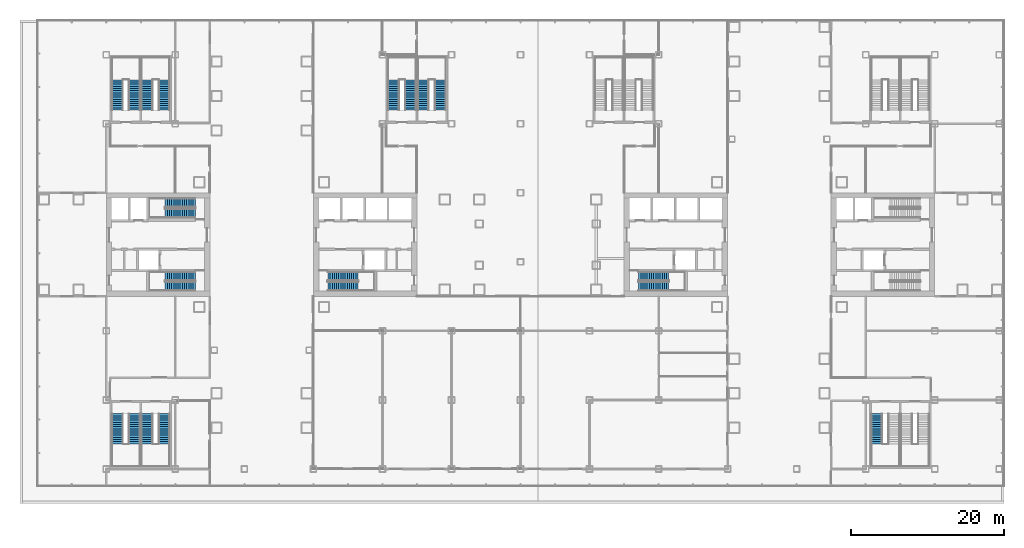
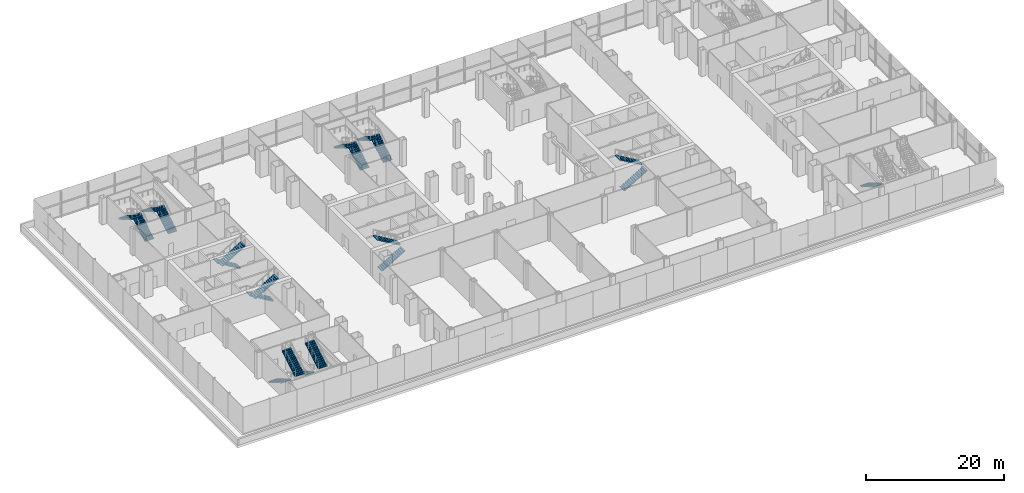
# One storey, part 24 of 30: 21 stair flights, 11 elements without a shape of their own.
"""IFC4 building model written with IfcOpenShell, lengths in metres."""

from ifc_helpers import new_model, si_unit, direction, frame, origin, place, context, subcontext, project, spatial, polyline, outline, extrude, material, type_object, element, aggregate, save


model = new_model("IFC4")

# Units and contexts
model_context = context("Model", 3, precision=1e-05, world=origin(), true_north=direction((0.0, 1.0)))
body_context = subcontext(model_context, "Body", "Model", "MODEL_VIEW")
ifc_project = project(units=[si_unit("LENGTHUNIT", "METRE"), si_unit("AREAUNIT", "SQUARE_METRE"), si_unit("VOLUMEUNIT", "CUBIC_METRE"), si_unit("PLANEANGLEUNIT", "RADIAN"), si_unit("MASSUNIT", "GRAM", prefix="KILO")], contexts=[model_context])

# Site, building, storey
site_placement = place(None, origin())
site = spatial("IfcSite", under=ifc_project, at=site_placement, CompositionType="ELEMENT")
building_placement = place(site_placement, origin())
building = spatial("IfcBuilding", under=site, at=building_placement, Name="Shamsa Quay Exchange Towers", CompositionType="ELEMENT")
storey_placement = place(building_placement, frame((0.0, 0.0, 23.5)))
storey = spatial("IfcBuildingStorey", under=building, at=storey_placement, Name="L04", CompositionType="ELEMENT", Elevation=23.5)

# Stair, stair flights
ifc_material = material(Name="Concrete C40/50", Category="concrete")
stair_type_1 = type_object("IfcStairType", Name="EXIT STAIR 30 RISERS 167 MM", PredefinedType="HALF_TURN_STAIR", material=ifc_material)
stair_1_placement = place(storey_placement, origin())
stair_1 = element("IfcStair", 1, at=stair_1_placement, inside=storey, type_object=stair_type_1, Name="L04 Exit stair ST1", PredefinedType="HALF_TURN_STAIR")
stair_flight_type_1 = type_object("IfcStairFlightType", Name="EXIT STAIR FLIGHT 15 RISERS 167 MM", PredefinedType="STRAIGHT", material=ifc_material)
stair_flight_1_placement = place(storey_placement, frame((-25.10009765625, -5.449951171875, 0.0)))
stair_flight_1 = element("IfcStairFlight", 2, at=stair_flight_1_placement, type_object=stair_flight_type_1, Name="ST1 flight 1", NumberOfRisers=15, NumberOfTreads=14, PredefinedType="STRAIGHT", RiserHeight=0.166666667, TreadLength=0.28, context=body_context, shape_type="SweptSolid", body=[
    extrude(outline(polyline([(0.0, 0.0), (0.0, 0.166748046875), (0.280029296875, 0.166748046875), (0.280029296875, 0.333251953125), (0.56005859375, 0.333251953125), (0.56005859375, 0.5), (0.840087890625, 0.5), (0.840087890625, 0.666748046875), (1.1201171875, 0.666748046875), (1.1201171875, 0.833251953125), (1.39990234375, 0.833251953125), (1.39990234375, 1.0), (1.679931640625, 1.0), (1.679931640625, 1.166748046875), (1.9599609375, 1.166748046875), (1.9599609375, 1.333251953125), (2.239990234375, 1.333251953125), (2.239990234375, 1.5), (2.52001953125, 1.5), (2.52001953125, 1.666748046875), (2.800048828125, 1.666748046875), (2.800048828125, 1.833251953125), (3.080078125, 1.833251953125), (3.080078125, 2.0), (3.360107421875, 2.0), (3.360107421875, 2.166748046875), (3.639892578125, 2.166748046875), (3.639892578125, 2.333251953125), (3.919921875, 2.333251953125), (3.919921875, 2.5), (3.919921875, 2.170654296875), (0.2734375, 0.0), (0.0, 0.0)])), frame((0.0, 0.60009765625, 0.0), z_axis=(0.0, -1.0, 0.0), x_axis=(1.0, 0.0, 0.0)), (0.0, 0.0, 1.0), 1.199951171875),
])
stair_flight_2_placement = place(storey_placement, frame((-21.179931640625, -4.10009765625, 2.5), z_axis=(0.0, 0.0, 1.0), x_axis=(-1.0, 0.0, 0.0)))
stair_flight_2 = element("IfcStairFlight", 3, at=stair_flight_2_placement, type_object=stair_flight_type_1, Name="ST1 flight 2", NumberOfRisers=15, NumberOfTreads=14, PredefinedType="STRAIGHT", RiserHeight=0.166666667, TreadLength=0.28, context=body_context, shape_type="SweptSolid", body=[
    extrude(outline(polyline([(0.0, 0.0), (0.0, 0.166748046875), (0.280029296875, 0.166748046875), (0.280029296875, 0.333251953125), (0.56005859375, 0.333251953125), (0.56005859375, 0.5), (0.840087890625, 0.5), (0.840087890625, 0.666748046875), (1.1201171875, 0.666748046875), (1.1201171875, 0.833251953125), (1.39990234375, 0.833251953125), (1.39990234375, 1.0), (1.679931640625, 1.0), (1.679931640625, 1.166748046875), (1.9599609375, 1.166748046875), (1.9599609375, 1.333251953125), (2.239990234375, 1.333251953125), (2.239990234375, 1.5), (2.52001953125, 1.5), (2.52001953125, 1.666748046875), (2.800048828125, 1.666748046875), (2.800048828125, 1.833251953125), (3.080078125, 1.833251953125), (3.080078125, 2.0), (3.360107421875, 2.0), (3.360107421875, 2.166748046875), (3.639892578125, 2.166748046875), (3.639892578125, 2.333251953125), (3.919921875, 2.333251953125), (3.919921875, 2.5), (3.919921875, 2.170654296875), (0.2734375, 0.0), (0.0, 0.0)])), frame((0.0, 0.60009765625, 0.0), z_axis=(0.0, -1.0, 0.0), x_axis=(1.0, 0.0, 0.0)), (0.0, 0.0, 1.0), 1.199951171875),
])
aggregate(stair_1, [stair_flight_1, stair_flight_2])

stair_2_placement = place(storey_placement, origin())
stair_2 = element("IfcStair", 4, at=stair_2_placement, inside=storey, type_object=stair_type_1, Name="L04 Exit stair ST2", PredefinedType="HALF_TURN_STAIR")
stair_flight_3_placement = place(storey_placement, frame((-42.39990234375, -4.10009765625, 0.0), z_axis=(0.0, 0.0, 1.0), x_axis=(-1.0, 0.0, 0.0)))
stair_flight_3 = element("IfcStairFlight", 5, at=stair_flight_3_placement, type_object=stair_flight_type_1, Name="ST2 flight 1", NumberOfRisers=15, NumberOfTreads=14, PredefinedType="STRAIGHT", RiserHeight=0.166666667, TreadLength=0.28, context=body_context, shape_type="SweptSolid", body=[
    extrude(outline(polyline([(0.0, 0.0), (0.0, 0.166748046875), (0.280029296875, 0.166748046875), (0.280029296875, 0.333251953125), (0.56005859375, 0.333251953125), (0.56005859375, 0.5), (0.840087890625, 0.5), (0.840087890625, 0.666748046875), (1.1201171875, 0.666748046875), (1.1201171875, 0.833251953125), (1.39990234375, 0.833251953125), (1.39990234375, 1.0), (1.679931640625, 1.0), (1.679931640625, 1.166748046875), (1.9599609375, 1.166748046875), (1.9599609375, 1.333251953125), (2.239990234375, 1.333251953125), (2.239990234375, 1.5), (2.52001953125, 1.5), (2.52001953125, 1.666748046875), (2.800048828125, 1.666748046875), (2.800048828125, 1.833251953125), (3.080078125, 1.833251953125), (3.080078125, 2.0), (3.360107421875, 2.0), (3.360107421875, 2.166748046875), (3.639892578125, 2.166748046875), (3.639892578125, 2.333251953125), (3.919921875, 2.333251953125), (3.919921875, 2.5), (3.919921875, 2.170654296875), (0.2734375, 0.0), (0.0, 0.0)])), frame((0.0, 0.60009765625, 0.0), z_axis=(0.0, -1.0, 0.0), x_axis=(1.0, 0.0, 0.0)), (0.0, 0.0, 1.0), 1.199951171875),
])
stair_flight_4_placement = place(storey_placement, frame((-46.320068359375, -5.449951171875, 2.5)))
stair_flight_4 = element("IfcStairFlight", 6, at=stair_flight_4_placement, type_object=stair_flight_type_1, Name="ST2 flight 2", NumberOfRisers=15, NumberOfTreads=14, PredefinedType="STRAIGHT", RiserHeight=0.166666667, TreadLength=0.28, context=body_context, shape_type="SweptSolid", body=[
    extrude(outline(polyline([(0.0, 0.0), (0.0, 0.166748046875), (0.280029296875, 0.166748046875), (0.280029296875, 0.333251953125), (0.56005859375, 0.333251953125), (0.56005859375, 0.5), (0.840087890625, 0.5), (0.840087890625, 0.666748046875), (1.1201171875, 0.666748046875), (1.1201171875, 0.833251953125), (1.39990234375, 0.833251953125), (1.39990234375, 1.0), (1.679931640625, 1.0), (1.679931640625, 1.166748046875), (1.9599609375, 1.166748046875), (1.9599609375, 1.333251953125), (2.239990234375, 1.333251953125), (2.239990234375, 1.5), (2.52001953125, 1.5), (2.52001953125, 1.666748046875), (2.800048828125, 1.666748046875), (2.800048828125, 1.833251953125), (3.080078125, 1.833251953125), (3.080078125, 2.0), (3.360107421875, 2.0), (3.360107421875, 2.166748046875), (3.639892578125, 2.166748046875), (3.639892578125, 2.333251953125), (3.919921875, 2.333251953125), (3.919921875, 2.5), (3.919921875, 2.170654296875), (0.2734375, 0.0), (0.0, 0.0)])), frame((0.0, 0.60009765625, 0.0), z_axis=(0.0, -1.0, 0.0), x_axis=(1.0, 0.0, 0.0)), (0.0, 0.0, 1.0), 1.199951171875),
])
aggregate(stair_2, [stair_flight_3, stair_flight_4])

stair_3_placement = place(storey_placement, origin())
stair_3 = element("IfcStair", 7, at=stair_3_placement, inside=storey, type_object=stair_type_1, Name="L04 Exit stair ST3", PredefinedType="HALF_TURN_STAIR")
stair_flight_5_placement = place(storey_placement, frame((-42.39990234375, 5.449951171875, 0.0), z_axis=(0.0, 0.0, 1.0), x_axis=(-1.0, 0.0, 0.0)))
stair_flight_5 = element("IfcStairFlight", 8, at=stair_flight_5_placement, type_object=stair_flight_type_1, Name="ST3 flight 1", NumberOfRisers=15, NumberOfTreads=14, PredefinedType="STRAIGHT", RiserHeight=0.166666667, TreadLength=0.28, context=body_context, shape_type="SweptSolid", body=[
    extrude(outline(polyline([(0.0, 0.0), (0.0, 0.166748046875), (0.280029296875, 0.166748046875), (0.280029296875, 0.333251953125), (0.56005859375, 0.333251953125), (0.56005859375, 0.5), (0.840087890625, 0.5), (0.840087890625, 0.666748046875), (1.1201171875, 0.666748046875), (1.1201171875, 0.833251953125), (1.39990234375, 0.833251953125), (1.39990234375, 1.0), (1.679931640625, 1.0), (1.679931640625, 1.166748046875), (1.9599609375, 1.166748046875), (1.9599609375, 1.333251953125), (2.239990234375, 1.333251953125), (2.239990234375, 1.5), (2.52001953125, 1.5), (2.52001953125, 1.666748046875), (2.800048828125, 1.666748046875), (2.800048828125, 1.833251953125), (3.080078125, 1.833251953125), (3.080078125, 2.0), (3.360107421875, 2.0), (3.360107421875, 2.166748046875), (3.639892578125, 2.166748046875), (3.639892578125, 2.333251953125), (3.919921875, 2.333251953125), (3.919921875, 2.5), (3.919921875, 2.170654296875), (0.2734375, 0.0), (0.0, 0.0)])), frame((0.0, 0.60009765625, 0.0), z_axis=(0.0, -1.0, 0.0), x_axis=(1.0, 0.0, 0.0)), (0.0, 0.0, 1.0), 1.199951171875),
])
stair_flight_6_placement = place(storey_placement, frame((-46.320068359375, 4.10009765625, 2.5)))
stair_flight_6 = element("IfcStairFlight", 9, at=stair_flight_6_placement, type_object=stair_flight_type_1, Name="ST3 flight 2", NumberOfRisers=15, NumberOfTreads=14, PredefinedType="STRAIGHT", RiserHeight=0.166666667, TreadLength=0.28, context=body_context, shape_type="SweptSolid", body=[
    extrude(outline(polyline([(0.0, 0.0), (0.0, 0.166748046875), (0.280029296875, 0.166748046875), (0.280029296875, 0.333251953125), (0.56005859375, 0.333251953125), (0.56005859375, 0.5), (0.840087890625, 0.5), (0.840087890625, 0.666748046875), (1.1201171875, 0.666748046875), (1.1201171875, 0.833251953125), (1.39990234375, 0.833251953125), (1.39990234375, 1.0), (1.679931640625, 1.0), (1.679931640625, 1.166748046875), (1.9599609375, 1.166748046875), (1.9599609375, 1.333251953125), (2.239990234375, 1.333251953125), (2.239990234375, 1.5), (2.52001953125, 1.5), (2.52001953125, 1.666748046875), (2.800048828125, 1.666748046875), (2.800048828125, 1.833251953125), (3.080078125, 1.833251953125), (3.080078125, 2.0), (3.360107421875, 2.0), (3.360107421875, 2.166748046875), (3.639892578125, 2.166748046875), (3.639892578125, 2.333251953125), (3.919921875, 2.333251953125), (3.919921875, 2.5), (3.919921875, 2.170654296875), (0.2734375, 0.0), (0.0, 0.0)])), frame((0.0, 0.60009765625, 0.0), z_axis=(0.0, -1.0, 0.0), x_axis=(1.0, 0.0, 0.0)), (0.0, 0.0, 1.0), 1.199951171875),
])
aggregate(stair_3, [stair_flight_5, stair_flight_6])

stair_4_placement = place(storey_placement, origin())
stair_4 = element("IfcStair", 10, at=stair_4_placement, inside=storey, type_object=stair_type_1, Name="L04 Exit stair ST4", PredefinedType="HALF_TURN_STAIR")
stair_flight_7_placement = place(storey_placement, frame((15.39990234375, -5.449951171875, 0.0)))
stair_flight_7 = element("IfcStairFlight", 11, at=stair_flight_7_placement, type_object=stair_flight_type_1, Name="ST4 flight 1", NumberOfRisers=15, NumberOfTreads=14, PredefinedType="STRAIGHT", RiserHeight=0.166666667, TreadLength=0.28, context=body_context, shape_type="SweptSolid", body=[
    extrude(outline(polyline([(0.0, 0.0), (0.0, 0.166748046875), (0.280029296875, 0.166748046875), (0.280029296875, 0.333251953125), (0.56005859375, 0.333251953125), (0.56005859375, 0.5), (0.840087890625, 0.5), (0.840087890625, 0.666748046875), (1.1201171875, 0.666748046875), (1.1201171875, 0.833251953125), (1.39990234375, 0.833251953125), (1.39990234375, 1.0), (1.679931640625, 1.0), (1.679931640625, 1.166748046875), (1.9599609375, 1.166748046875), (1.9599609375, 1.333251953125), (2.239990234375, 1.333251953125), (2.239990234375, 1.5), (2.52001953125, 1.5), (2.52001953125, 1.666748046875), (2.800048828125, 1.666748046875), (2.800048828125, 1.833251953125), (3.080078125, 1.833251953125), (3.080078125, 2.0), (3.360107421875, 2.0), (3.360107421875, 2.166748046875), (3.639892578125, 2.166748046875), (3.639892578125, 2.333251953125), (3.919921875, 2.333251953125), (3.919921875, 2.5), (3.919921875, 2.170654296875), (0.2734375, 0.0), (0.0, 0.0)])), frame((0.0, 0.60009765625, 0.0), z_axis=(0.0, -1.0, 0.0), x_axis=(1.0, 0.0, 0.0)), (0.0, 0.0, 1.0), 1.199951171875),
])
stair_flight_8_placement = place(storey_placement, frame((19.320068359375, -4.10009765625, 2.5), z_axis=(0.0, 0.0, 1.0), x_axis=(-1.0, 0.0, 0.0)))
stair_flight_8 = element("IfcStairFlight", 12, at=stair_flight_8_placement, type_object=stair_flight_type_1, Name="ST4 flight 2", NumberOfRisers=15, NumberOfTreads=14, PredefinedType="STRAIGHT", RiserHeight=0.166666667, TreadLength=0.28, context=body_context, shape_type="SweptSolid", body=[
    extrude(outline(polyline([(0.0, 0.0), (0.0, 0.166748046875), (0.280029296875, 0.166748046875), (0.280029296875, 0.333251953125), (0.56005859375, 0.333251953125), (0.56005859375, 0.5), (0.840087890625, 0.5), (0.840087890625, 0.666748046875), (1.1201171875, 0.666748046875), (1.1201171875, 0.833251953125), (1.39990234375, 0.833251953125), (1.39990234375, 1.0), (1.679931640625, 1.0), (1.679931640625, 1.166748046875), (1.9599609375, 1.166748046875), (1.9599609375, 1.333251953125), (2.239990234375, 1.333251953125), (2.239990234375, 1.5), (2.52001953125, 1.5), (2.52001953125, 1.666748046875), (2.800048828125, 1.666748046875), (2.800048828125, 1.833251953125), (3.080078125, 1.833251953125), (3.080078125, 2.0), (3.360107421875, 2.0), (3.360107421875, 2.166748046875), (3.639892578125, 2.166748046875), (3.639892578125, 2.333251953125), (3.919921875, 2.333251953125), (3.919921875, 2.5), (3.919921875, 2.170654296875), (0.2734375, 0.0), (0.0, 0.0)])), frame((0.0, 0.60009765625, 0.0), z_axis=(0.0, -1.0, 0.0), x_axis=(1.0, 0.0, 0.0)), (0.0, 0.0, 1.0), 1.199951171875),
])
aggregate(stair_4, [stair_flight_7, stair_flight_8])

stair_type_2 = type_object("IfcStairType", Name="PODIUM EXIT STAIR 30 RISERS 167 MM 1500 WIDE", PredefinedType="HALF_TURN_STAIR", material=ifc_material)
stair_5_placement = place(storey_placement, origin())
stair_5 = element("IfcStair", 13, at=stair_5_placement, inside=storey, type_object=stair_type_2, Name="L04 Exit stair PS1A", PredefinedType="HALF_TURN_STAIR")
stair_flight_type_2 = type_object("IfcStairFlightType", Name="PODIUM EXIT STAIR FLIGHT 15 RISERS 167 MM 1500 WIDE", PredefinedType="STRAIGHT", material=ifc_material)
stair_flight_9_placement = place(storey_placement, frame((-50.324951171875, 17.550048828125, 0.0), z_axis=(0.0, 0.0, 1.0), x_axis=(0.0, 1.0, 0.0)))
stair_flight_9 = element("IfcStairFlight", 14, at=stair_flight_9_placement, type_object=stair_flight_type_2, Name="PS1A flight 1", NumberOfRisers=15, NumberOfTreads=14, PredefinedType="STRAIGHT", RiserHeight=0.166666667, TreadLength=0.28, context=body_context, shape_type="SweptSolid", body=[
    extrude(outline(polyline([(0.0, 0.0), (0.0, 0.166748046875), (0.280029296875, 0.166748046875), (0.280029296875, 0.333251953125), (0.56005859375, 0.333251953125), (0.56005859375, 0.5), (0.840087890625, 0.5), (0.840087890625, 0.666748046875), (1.1201171875, 0.666748046875), (1.1201171875, 0.833251953125), (1.39990234375, 0.833251953125), (1.39990234375, 1.0), (1.679931640625, 1.0), (1.679931640625, 1.166748046875), (1.9599609375, 1.166748046875), (1.9599609375, 1.333251953125), (2.239990234375, 1.333251953125), (2.239990234375, 1.5), (2.52001953125, 1.5), (2.52001953125, 1.666748046875), (2.800048828125, 1.666748046875), (2.800048828125, 1.833251953125), (3.080078125, 1.833251953125), (3.080078125, 2.0), (3.360107421875, 2.0), (3.360107421875, 2.166748046875), (3.639892578125, 2.166748046875), (3.639892578125, 2.333251953125), (3.919921875, 2.333251953125), (3.919921875, 2.5), (3.919921875, 2.158935546875), (0.29296875, 0.0), (0.0, 0.0)])), frame((0.0, 0.75, 0.0), z_axis=(0.0, -1.0, 0.0), x_axis=(1.0, 0.0, 0.0)), (0.0, 0.0, 1.0), 1.5),
])
stair_flight_10_placement = place(storey_placement, frame((-52.550048828125, 21.469970703125, 2.5), z_axis=(0.0, 0.0, 1.0), x_axis=(0.0, -1.0, 0.0)))
stair_flight_10 = element("IfcStairFlight", 15, at=stair_flight_10_placement, type_object=stair_flight_type_2, Name="PS1A flight 2", NumberOfRisers=15, NumberOfTreads=14, PredefinedType="STRAIGHT", RiserHeight=0.166666667, TreadLength=0.28, context=body_context, shape_type="SweptSolid", body=[
    extrude(outline(polyline([(0.0, 0.0), (0.0, 0.166748046875), (0.280029296875, 0.166748046875), (0.280029296875, 0.333251953125), (0.56005859375, 0.333251953125), (0.56005859375, 0.5), (0.840087890625, 0.5), (0.840087890625, 0.666748046875), (1.1201171875, 0.666748046875), (1.1201171875, 0.833251953125), (1.39990234375, 0.833251953125), (1.39990234375, 1.0), (1.679931640625, 1.0), (1.679931640625, 1.166748046875), (1.9599609375, 1.166748046875), (1.9599609375, 1.333251953125), (2.239990234375, 1.333251953125), (2.239990234375, 1.5), (2.52001953125, 1.5), (2.52001953125, 1.666748046875), (2.800048828125, 1.666748046875), (2.800048828125, 1.833251953125), (3.080078125, 1.833251953125), (3.080078125, 2.0), (3.360107421875, 2.0), (3.360107421875, 2.166748046875), (3.639892578125, 2.166748046875), (3.639892578125, 2.333251953125), (3.919921875, 2.333251953125), (3.919921875, 2.5), (3.919921875, 2.158935546875), (0.29296875, 0.0), (0.0, 0.0)])), frame((0.0, 0.75, 0.0), z_axis=(0.0, -1.0, 0.0), x_axis=(1.0, 0.0, 0.0)), (0.0, 0.0, 1.0), 1.5),
])
aggregate(stair_5, [stair_flight_9, stair_flight_10])

stair_6_placement = place(storey_placement, origin())
stair_6 = element("IfcStair", 16, at=stair_6_placement, inside=storey, type_object=stair_type_2, Name="L04 Exit stair PS1B", PredefinedType="HALF_TURN_STAIR")
stair_flight_11_placement = place(storey_placement, frame((-46.449951171875, 17.550048828125, 0.0), z_axis=(0.0, 0.0, 1.0), x_axis=(0.0, 1.0, 0.0)))
stair_flight_11 = element("IfcStairFlight", 17, at=stair_flight_11_placement, type_object=stair_flight_type_2, Name="PS1B flight 1", NumberOfRisers=15, NumberOfTreads=14, PredefinedType="STRAIGHT", RiserHeight=0.166666667, TreadLength=0.28, context=body_context, shape_type="SweptSolid", body=[
    extrude(outline(polyline([(0.0, 0.0), (0.0, 0.166748046875), (0.280029296875, 0.166748046875), (0.280029296875, 0.333251953125), (0.56005859375, 0.333251953125), (0.56005859375, 0.5), (0.840087890625, 0.5), (0.840087890625, 0.666748046875), (1.1201171875, 0.666748046875), (1.1201171875, 0.833251953125), (1.39990234375, 0.833251953125), (1.39990234375, 1.0), (1.679931640625, 1.0), (1.679931640625, 1.166748046875), (1.9599609375, 1.166748046875), (1.9599609375, 1.333251953125), (2.239990234375, 1.333251953125), (2.239990234375, 1.5), (2.52001953125, 1.5), (2.52001953125, 1.666748046875), (2.800048828125, 1.666748046875), (2.800048828125, 1.833251953125), (3.080078125, 1.833251953125), (3.080078125, 2.0), (3.360107421875, 2.0), (3.360107421875, 2.166748046875), (3.639892578125, 2.166748046875), (3.639892578125, 2.333251953125), (3.919921875, 2.333251953125), (3.919921875, 2.5), (3.919921875, 2.158935546875), (0.29296875, 0.0), (0.0, 0.0)])), frame((0.0, 0.75, 0.0), z_axis=(0.0, -1.0, 0.0), x_axis=(1.0, 0.0, 0.0)), (0.0, 0.0, 1.0), 1.5),
])
stair_flight_12_placement = place(storey_placement, frame((-48.675048828125, 21.469970703125, 2.5), z_axis=(0.0, 0.0, 1.0), x_axis=(0.0, -1.0, 0.0)))
stair_flight_12 = element("IfcStairFlight", 18, at=stair_flight_12_placement, type_object=stair_flight_type_2, Name="PS1B flight 2", NumberOfRisers=15, NumberOfTreads=14, PredefinedType="STRAIGHT", RiserHeight=0.166666667, TreadLength=0.28, context=body_context, shape_type="SweptSolid", body=[
    extrude(outline(polyline([(0.0, 0.0), (0.0, 0.166748046875), (0.280029296875, 0.166748046875), (0.280029296875, 0.333251953125), (0.56005859375, 0.333251953125), (0.56005859375, 0.5), (0.840087890625, 0.5), (0.840087890625, 0.666748046875), (1.1201171875, 0.666748046875), (1.1201171875, 0.833251953125), (1.39990234375, 0.833251953125), (1.39990234375, 1.0), (1.679931640625, 1.0), (1.679931640625, 1.166748046875), (1.9599609375, 1.166748046875), (1.9599609375, 1.333251953125), (2.239990234375, 1.333251953125), (2.239990234375, 1.5), (2.52001953125, 1.5), (2.52001953125, 1.666748046875), (2.800048828125, 1.666748046875), (2.800048828125, 1.833251953125), (3.080078125, 1.833251953125), (3.080078125, 2.0), (3.360107421875, 2.0), (3.360107421875, 2.166748046875), (3.639892578125, 2.166748046875), (3.639892578125, 2.333251953125), (3.919921875, 2.333251953125), (3.919921875, 2.5), (3.919921875, 2.158935546875), (0.29296875, 0.0), (0.0, 0.0)])), frame((0.0, 0.75, 0.0), z_axis=(0.0, -1.0, 0.0), x_axis=(1.0, 0.0, 0.0)), (0.0, 0.0, 1.0), 1.5),
])
aggregate(stair_6, [stair_flight_11, stair_flight_12])

stair_7_placement = place(storey_placement, origin())
stair_7 = element("IfcStair", 19, at=stair_7_placement, inside=storey, type_object=stair_type_2, Name="L04 Exit stair PS2A", PredefinedType="HALF_TURN_STAIR")
stair_flight_13_placement = place(storey_placement, frame((-14.324951171875, 17.550048828125, 0.0), z_axis=(0.0, 0.0, 1.0), x_axis=(0.0, 1.0, 0.0)))
stair_flight_13 = element("IfcStairFlight", 20, at=stair_flight_13_placement, type_object=stair_flight_type_2, Name="PS2A flight 1", NumberOfRisers=15, NumberOfTreads=14, PredefinedType="STRAIGHT", RiserHeight=0.166666667, TreadLength=0.28, context=body_context, shape_type="SweptSolid", body=[
    extrude(outline(polyline([(0.0, 0.0), (0.0, 0.166748046875), (0.280029296875, 0.166748046875), (0.280029296875, 0.333251953125), (0.56005859375, 0.333251953125), (0.56005859375, 0.5), (0.840087890625, 0.5), (0.840087890625, 0.666748046875), (1.1201171875, 0.666748046875), (1.1201171875, 0.833251953125), (1.39990234375, 0.833251953125), (1.39990234375, 1.0), (1.679931640625, 1.0), (1.679931640625, 1.166748046875), (1.9599609375, 1.166748046875), (1.9599609375, 1.333251953125), (2.239990234375, 1.333251953125), (2.239990234375, 1.5), (2.52001953125, 1.5), (2.52001953125, 1.666748046875), (2.800048828125, 1.666748046875), (2.800048828125, 1.833251953125), (3.080078125, 1.833251953125), (3.080078125, 2.0), (3.360107421875, 2.0), (3.360107421875, 2.166748046875), (3.639892578125, 2.166748046875), (3.639892578125, 2.333251953125), (3.919921875, 2.333251953125), (3.919921875, 2.5), (3.919921875, 2.158935546875), (0.29296875, 0.0), (0.0, 0.0)])), frame((0.0, 0.75, 0.0), z_axis=(0.0, -1.0, 0.0), x_axis=(1.0, 0.0, 0.0)), (0.0, 0.0, 1.0), 1.5),
])
stair_flight_14_placement = place(storey_placement, frame((-16.550048828125, 21.469970703125, 2.5), z_axis=(0.0, 0.0, 1.0), x_axis=(0.0, -1.0, 0.0)))
stair_flight_14 = element("IfcStairFlight", 21, at=stair_flight_14_placement, type_object=stair_flight_type_2, Name="PS2A flight 2", NumberOfRisers=15, NumberOfTreads=14, PredefinedType="STRAIGHT", RiserHeight=0.166666667, TreadLength=0.28, context=body_context, shape_type="SweptSolid", body=[
    extrude(outline(polyline([(0.0, 0.0), (0.0, 0.166748046875), (0.280029296875, 0.166748046875), (0.280029296875, 0.333251953125), (0.56005859375, 0.333251953125), (0.56005859375, 0.5), (0.840087890625, 0.5), (0.840087890625, 0.666748046875), (1.1201171875, 0.666748046875), (1.1201171875, 0.833251953125), (1.39990234375, 0.833251953125), (1.39990234375, 1.0), (1.679931640625, 1.0), (1.679931640625, 1.166748046875), (1.9599609375, 1.166748046875), (1.9599609375, 1.333251953125), (2.239990234375, 1.333251953125), (2.239990234375, 1.5), (2.52001953125, 1.5), (2.52001953125, 1.666748046875), (2.800048828125, 1.666748046875), (2.800048828125, 1.833251953125), (3.080078125, 1.833251953125), (3.080078125, 2.0), (3.360107421875, 2.0), (3.360107421875, 2.166748046875), (3.639892578125, 2.166748046875), (3.639892578125, 2.333251953125), (3.919921875, 2.333251953125), (3.919921875, 2.5), (3.919921875, 2.158935546875), (0.29296875, 0.0), (0.0, 0.0)])), frame((0.0, 0.75, 0.0), z_axis=(0.0, -1.0, 0.0), x_axis=(1.0, 0.0, 0.0)), (0.0, 0.0, 1.0), 1.5),
])
aggregate(stair_7, [stair_flight_13, stair_flight_14])

stair_8_placement = place(storey_placement, origin())
stair_8 = element("IfcStair", 22, at=stair_8_placement, inside=storey, type_object=stair_type_2, Name="L04 Exit stair PS2B", PredefinedType="HALF_TURN_STAIR")
stair_flight_15_placement = place(storey_placement, frame((-10.449951171875, 17.550048828125, 0.0), z_axis=(0.0, 0.0, 1.0), x_axis=(0.0, 1.0, 0.0)))
stair_flight_15 = element("IfcStairFlight", 23, at=stair_flight_15_placement, type_object=stair_flight_type_2, Name="PS2B flight 1", NumberOfRisers=15, NumberOfTreads=14, PredefinedType="STRAIGHT", RiserHeight=0.166666667, TreadLength=0.28, context=body_context, shape_type="SweptSolid", body=[
    extrude(outline(polyline([(0.0, 0.0), (0.0, 0.166748046875), (0.280029296875, 0.166748046875), (0.280029296875, 0.333251953125), (0.56005859375, 0.333251953125), (0.56005859375, 0.5), (0.840087890625, 0.5), (0.840087890625, 0.666748046875), (1.1201171875, 0.666748046875), (1.1201171875, 0.833251953125), (1.39990234375, 0.833251953125), (1.39990234375, 1.0), (1.679931640625, 1.0), (1.679931640625, 1.166748046875), (1.9599609375, 1.166748046875), (1.9599609375, 1.333251953125), (2.239990234375, 1.333251953125), (2.239990234375, 1.5), (2.52001953125, 1.5), (2.52001953125, 1.666748046875), (2.800048828125, 1.666748046875), (2.800048828125, 1.833251953125), (3.080078125, 1.833251953125), (3.080078125, 2.0), (3.360107421875, 2.0), (3.360107421875, 2.166748046875), (3.639892578125, 2.166748046875), (3.639892578125, 2.333251953125), (3.919921875, 2.333251953125), (3.919921875, 2.5), (3.919921875, 2.158935546875), (0.29296875, 0.0), (0.0, 0.0)])), frame((0.0, 0.75, 0.0), z_axis=(0.0, -1.0, 0.0), x_axis=(1.0, 0.0, 0.0)), (0.0, 0.0, 1.0), 1.5),
])
stair_flight_16_placement = place(storey_placement, frame((-12.675048828125, 21.469970703125, 2.5), z_axis=(0.0, 0.0, 1.0), x_axis=(0.0, -1.0, 0.0)))
stair_flight_16 = element("IfcStairFlight", 24, at=stair_flight_16_placement, type_object=stair_flight_type_2, Name="PS2B flight 2", NumberOfRisers=15, NumberOfTreads=14, PredefinedType="STRAIGHT", RiserHeight=0.166666667, TreadLength=0.28, context=body_context, shape_type="SweptSolid", body=[
    extrude(outline(polyline([(0.0, 0.0), (0.0, 0.166748046875), (0.280029296875, 0.166748046875), (0.280029296875, 0.333251953125), (0.56005859375, 0.333251953125), (0.56005859375, 0.5), (0.840087890625, 0.5), (0.840087890625, 0.666748046875), (1.1201171875, 0.666748046875), (1.1201171875, 0.833251953125), (1.39990234375, 0.833251953125), (1.39990234375, 1.0), (1.679931640625, 1.0), (1.679931640625, 1.166748046875), (1.9599609375, 1.166748046875), (1.9599609375, 1.333251953125), (2.239990234375, 1.333251953125), (2.239990234375, 1.5), (2.52001953125, 1.5), (2.52001953125, 1.666748046875), (2.800048828125, 1.666748046875), (2.800048828125, 1.833251953125), (3.080078125, 1.833251953125), (3.080078125, 2.0), (3.360107421875, 2.0), (3.360107421875, 2.166748046875), (3.639892578125, 2.166748046875), (3.639892578125, 2.333251953125), (3.919921875, 2.333251953125), (3.919921875, 2.5), (3.919921875, 2.158935546875), (0.29296875, 0.0), (0.0, 0.0)])), frame((0.0, 0.75, 0.0), z_axis=(0.0, -1.0, 0.0), x_axis=(1.0, 0.0, 0.0)), (0.0, 0.0, 1.0), 1.5),
])
aggregate(stair_8, [stair_flight_15, stair_flight_16])

stair_9_placement = place(storey_placement, origin())
stair_9 = element("IfcStair", 25, at=stair_9_placement, inside=storey, type_object=stair_type_2, Name="L04 Exit stair PS5A", PredefinedType="HALF_TURN_STAIR")
stair_flight_17_placement = place(storey_placement, frame((-52.550048828125, -22.050048828125, 0.0), z_axis=(0.0, 0.0, 1.0), x_axis=(0.0, -1.0, 0.0)))
stair_flight_17 = element("IfcStairFlight", 26, at=stair_flight_17_placement, type_object=stair_flight_type_2, Name="PS5A flight 1", NumberOfRisers=15, NumberOfTreads=14, PredefinedType="STRAIGHT", RiserHeight=0.166666667, TreadLength=0.28, context=body_context, shape_type="SweptSolid", body=[
    extrude(outline(polyline([(0.0, 0.0), (0.0, 0.166748046875), (0.280029296875, 0.166748046875), (0.280029296875, 0.333251953125), (0.56005859375, 0.333251953125), (0.56005859375, 0.5), (0.840087890625, 0.5), (0.840087890625, 0.666748046875), (1.1201171875, 0.666748046875), (1.1201171875, 0.833251953125), (1.39990234375, 0.833251953125), (1.39990234375, 1.0), (1.679931640625, 1.0), (1.679931640625, 1.166748046875), (1.9599609375, 1.166748046875), (1.9599609375, 1.333251953125), (2.239990234375, 1.333251953125), (2.239990234375, 1.5), (2.52001953125, 1.5), (2.52001953125, 1.666748046875), (2.800048828125, 1.666748046875), (2.800048828125, 1.833251953125), (3.080078125, 1.833251953125), (3.080078125, 2.0), (3.360107421875, 2.0), (3.360107421875, 2.166748046875), (3.639892578125, 2.166748046875), (3.639892578125, 2.333251953125), (3.919921875, 2.333251953125), (3.919921875, 2.5), (3.919921875, 2.158935546875), (0.29296875, 0.0), (0.0, 0.0)])), frame((0.0, 0.75, 0.0), z_axis=(0.0, -1.0, 0.0), x_axis=(1.0, 0.0, 0.0)), (0.0, 0.0, 1.0), 1.5),
])
stair_flight_18_placement = place(storey_placement, frame((-50.324951171875, -25.969970703125, 2.5), z_axis=(0.0, 0.0, 1.0), x_axis=(0.0, 1.0, 0.0)))
stair_flight_18 = element("IfcStairFlight", 27, at=stair_flight_18_placement, type_object=stair_flight_type_2, Name="PS5A flight 2", NumberOfRisers=15, NumberOfTreads=14, PredefinedType="STRAIGHT", RiserHeight=0.166666667, TreadLength=0.28, context=body_context, shape_type="SweptSolid", body=[
    extrude(outline(polyline([(0.0, 0.0), (0.0, 0.166748046875), (0.280029296875, 0.166748046875), (0.280029296875, 0.333251953125), (0.56005859375, 0.333251953125), (0.56005859375, 0.5), (0.840087890625, 0.5), (0.840087890625, 0.666748046875), (1.1201171875, 0.666748046875), (1.1201171875, 0.833251953125), (1.39990234375, 0.833251953125), (1.39990234375, 1.0), (1.679931640625, 1.0), (1.679931640625, 1.166748046875), (1.9599609375, 1.166748046875), (1.9599609375, 1.333251953125), (2.239990234375, 1.333251953125), (2.239990234375, 1.5), (2.52001953125, 1.5), (2.52001953125, 1.666748046875), (2.800048828125, 1.666748046875), (2.800048828125, 1.833251953125), (3.080078125, 1.833251953125), (3.080078125, 2.0), (3.360107421875, 2.0), (3.360107421875, 2.166748046875), (3.639892578125, 2.166748046875), (3.639892578125, 2.333251953125), (3.919921875, 2.333251953125), (3.919921875, 2.5), (3.919921875, 2.158935546875), (0.29296875, 0.0), (0.0, 0.0)])), frame((0.0, 0.75, 0.0), z_axis=(0.0, -1.0, 0.0), x_axis=(1.0, 0.0, 0.0)), (0.0, 0.0, 1.0), 1.5),
])
aggregate(stair_9, [stair_flight_17, stair_flight_18])

stair_10_placement = place(storey_placement, origin())
stair_10 = element("IfcStair", 28, at=stair_10_placement, inside=storey, type_object=stair_type_2, Name="L04 Exit stair PS5B", PredefinedType="HALF_TURN_STAIR")
stair_flight_19_placement = place(storey_placement, frame((-48.675048828125, -22.050048828125, 0.0), z_axis=(0.0, 0.0, 1.0), x_axis=(0.0, -1.0, 0.0)))
stair_flight_19 = element("IfcStairFlight", 29, at=stair_flight_19_placement, type_object=stair_flight_type_2, Name="PS5B flight 1", NumberOfRisers=15, NumberOfTreads=14, PredefinedType="STRAIGHT", RiserHeight=0.166666667, TreadLength=0.28, context=body_context, shape_type="SweptSolid", body=[
    extrude(outline(polyline([(0.0, 0.0), (0.0, 0.166748046875), (0.280029296875, 0.166748046875), (0.280029296875, 0.333251953125), (0.56005859375, 0.333251953125), (0.56005859375, 0.5), (0.840087890625, 0.5), (0.840087890625, 0.666748046875), (1.1201171875, 0.666748046875), (1.1201171875, 0.833251953125), (1.39990234375, 0.833251953125), (1.39990234375, 1.0), (1.679931640625, 1.0), (1.679931640625, 1.166748046875), (1.9599609375, 1.166748046875), (1.9599609375, 1.333251953125), (2.239990234375, 1.333251953125), (2.239990234375, 1.5), (2.52001953125, 1.5), (2.52001953125, 1.666748046875), (2.800048828125, 1.666748046875), (2.800048828125, 1.833251953125), (3.080078125, 1.833251953125), (3.080078125, 2.0), (3.360107421875, 2.0), (3.360107421875, 2.166748046875), (3.639892578125, 2.166748046875), (3.639892578125, 2.333251953125), (3.919921875, 2.333251953125), (3.919921875, 2.5), (3.919921875, 2.158935546875), (0.29296875, 0.0), (0.0, 0.0)])), frame((0.0, 0.75, 0.0), z_axis=(0.0, -1.0, 0.0), x_axis=(1.0, 0.0, 0.0)), (0.0, 0.0, 1.0), 1.5),
])
stair_flight_20_placement = place(storey_placement, frame((-46.449951171875, -25.969970703125, 2.5), z_axis=(0.0, 0.0, 1.0), x_axis=(0.0, 1.0, 0.0)))
stair_flight_20 = element("IfcStairFlight", 30, at=stair_flight_20_placement, type_object=stair_flight_type_2, Name="PS5B flight 2", NumberOfRisers=15, NumberOfTreads=14, PredefinedType="STRAIGHT", RiserHeight=0.166666667, TreadLength=0.28, context=body_context, shape_type="SweptSolid", body=[
    extrude(outline(polyline([(0.0, 0.0), (0.0, 0.166748046875), (0.280029296875, 0.166748046875), (0.280029296875, 0.333251953125), (0.56005859375, 0.333251953125), (0.56005859375, 0.5), (0.840087890625, 0.5), (0.840087890625, 0.666748046875), (1.1201171875, 0.666748046875), (1.1201171875, 0.833251953125), (1.39990234375, 0.833251953125), (1.39990234375, 1.0), (1.679931640625, 1.0), (1.679931640625, 1.166748046875), (1.9599609375, 1.166748046875), (1.9599609375, 1.333251953125), (2.239990234375, 1.333251953125), (2.239990234375, 1.5), (2.52001953125, 1.5), (2.52001953125, 1.666748046875), (2.800048828125, 1.666748046875), (2.800048828125, 1.833251953125), (3.080078125, 1.833251953125), (3.080078125, 2.0), (3.360107421875, 2.0), (3.360107421875, 2.166748046875), (3.639892578125, 2.166748046875), (3.639892578125, 2.333251953125), (3.919921875, 2.333251953125), (3.919921875, 2.5), (3.919921875, 2.158935546875), (0.29296875, 0.0), (0.0, 0.0)])), frame((0.0, 0.75, 0.0), z_axis=(0.0, -1.0, 0.0), x_axis=(1.0, 0.0, 0.0)), (0.0, 0.0, 1.0), 1.5),
])
aggregate(stair_10, [stair_flight_19, stair_flight_20])

# Stair, stair flight
stair_11_placement = place(storey_placement, origin())
stair_11 = element("IfcStair", 31, at=stair_11_placement, inside=storey, type_object=stair_type_2, Name="L04 Exit stair PS6A", PredefinedType="HALF_TURN_STAIR")
stair_flight_21_placement = place(storey_placement, frame((46.449951171875, -22.050048828125, 0.0), z_axis=(0.0, 0.0, 1.0), x_axis=(0.0, -1.0, 0.0)))
stair_flight_21 = element("IfcStairFlight", 32, at=stair_flight_21_placement, type_object=stair_flight_type_2, Name="PS6A flight 1", NumberOfRisers=15, NumberOfTreads=14, PredefinedType="STRAIGHT", RiserHeight=0.166666667, TreadLength=0.28, context=body_context, shape_type="SweptSolid", body=[
    extrude(outline(polyline([(0.0, 0.0), (0.0, 0.166748046875), (0.280029296875, 0.166748046875), (0.280029296875, 0.333251953125), (0.56005859375, 0.333251953125), (0.56005859375, 0.5), (0.840087890625, 0.5), (0.840087890625, 0.666748046875), (1.1201171875, 0.666748046875), (1.1201171875, 0.833251953125), (1.39990234375, 0.833251953125), (1.39990234375, 1.0), (1.679931640625, 1.0), (1.679931640625, 1.166748046875), (1.9599609375, 1.166748046875), (1.9599609375, 1.333251953125), (2.239990234375, 1.333251953125), (2.239990234375, 1.5), (2.52001953125, 1.5), (2.52001953125, 1.666748046875), (2.800048828125, 1.666748046875), (2.800048828125, 1.833251953125), (3.080078125, 1.833251953125), (3.080078125, 2.0), (3.360107421875, 2.0), (3.360107421875, 2.166748046875), (3.639892578125, 2.166748046875), (3.639892578125, 2.333251953125), (3.919921875, 2.333251953125), (3.919921875, 2.5), (3.919921875, 2.158935546875), (0.29296875, 0.0), (0.0, 0.0)])), frame((0.0, 0.75, 0.0), z_axis=(0.0, -1.0, 0.0), x_axis=(1.0, 0.0, 0.0)), (0.0, 0.0, 1.0), 1.5),
])
aggregate(stair_11, [stair_flight_21])

save(model, "model.ifc")
